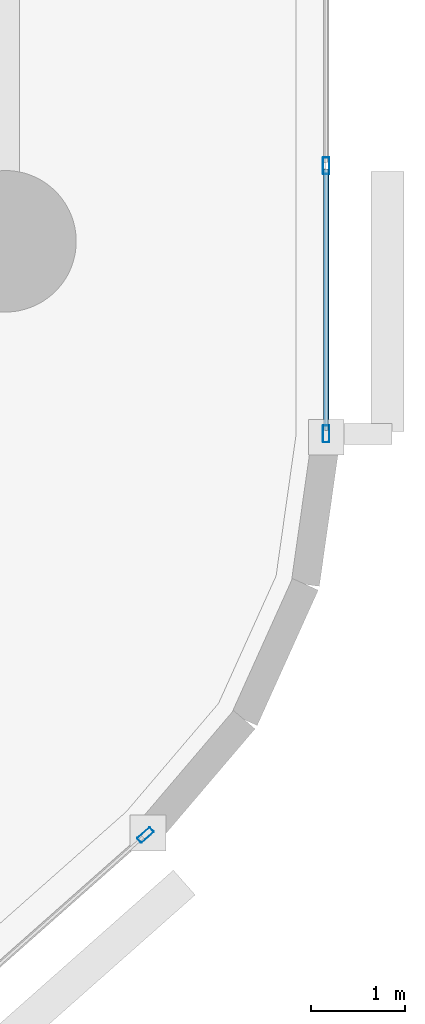
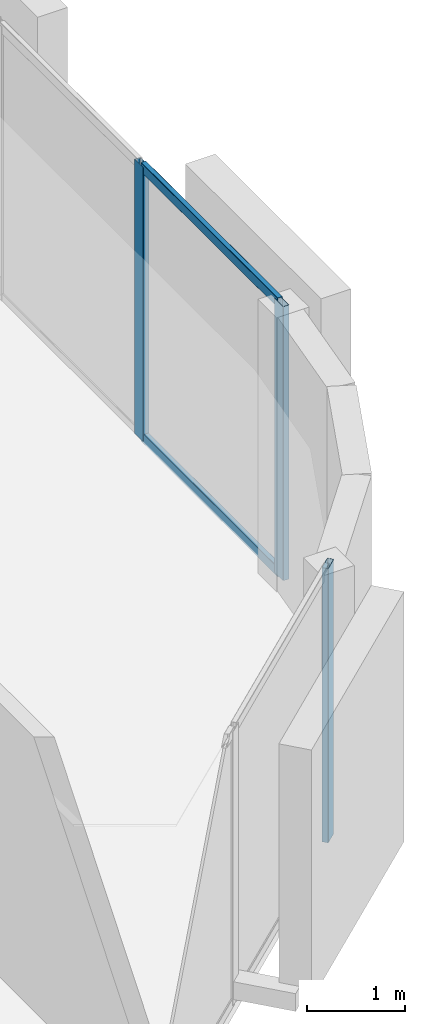
# One storey, part 4 of 15: 5 members, 2 elements without a shape of their own.
"""IFC4 building model written with IfcOpenShell, lengths in metres."""

from ifc_helpers import new_model, si_unit, direction, frame, origin, origin_2d, place, context, subcontext, project, spatial, hollow_rectangle, extrude, material, layer, layer_set, material_profile, profile_set, type_object, element, aggregate, save


model = new_model("IFC4")

# Units and contexts
model_context = context("Model", 3, precision=1e-05, world=origin(), true_north=direction((0.0, 1.0)))
body_context = subcontext(model_context, "Body", "Model", "MODEL_VIEW")
ifc_project = project(units=[si_unit("LENGTHUNIT", "METRE"), si_unit("AREAUNIT", "SQUARE_METRE"), si_unit("VOLUMEUNIT", "CUBIC_METRE"), si_unit("PLANEANGLEUNIT", "RADIAN"), si_unit("MASSUNIT", "GRAM", prefix="KILO")], contexts=[model_context])

# Site, building, storey
site_placement = place(None, origin())
site = spatial("IfcSite", under=ifc_project, at=site_placement, CompositionType="ELEMENT")
building_placement = place(site_placement, origin())
building = spatial("IfcBuilding", under=site, at=building_placement, Name="An Khanh Terracotta Commons", CompositionType="ELEMENT")
storey_placement = place(building_placement, frame((0.0, 0.0, 64.800048828125)))
storey = spatial("IfcBuildingStorey", under=building, at=storey_placement, Name="L17", CompositionType="ELEMENT", Elevation=64.800048828125)

# Curtain wall, member
ifc_material = material(Name="Anodised Aluminium 6063-T6", Category="aluminium")
ifc_layer = layer(ifc_material, 0.199951171875, Name="Anodised Aluminium 6063-T6")
ifc_layer_set = layer_set([ifc_layer], Name="Anodised Aluminium 6063-T6")
curtain_wall_type = type_object("IfcCurtainWallType", Name="CW-SYS-02", PredefinedType="USERDEFINED", material=ifc_layer_set)
curtain_wall_1_placement = place(storey_placement, origin())
curtain_wall_1 = element("IfcCurtainWall", 1, at=curtain_wall_1_placement, inside=storey, type_object=curtain_wall_type, Name="L17 CW-02 Unitised Curtain Wall CW-L17-08", ObjectType="UNITISED CURTAIN WALL", PredefinedType="USERDEFINED")
ifc_material_profile_1 = material_profile(ifc_material, hollow_rectangle(XDim=0.070068359375, YDim=0.179931640625, WallThickness=0.00390625, InnerFilletRadius=0.00390625, OuterFilletRadius=0.008056640625, at=origin_2d()), Name="RHS180x70x4")
ifc_profile_set_1 = profile_set([ifc_material_profile_1], Name="Anodised Aluminium 6063-T6")
member_type_1 = type_object("IfcMemberType", Name="CWM-RHS180x70x4", PredefinedType="MULLION", material=ifc_profile_set_1)
member_1_placement = place(storey_placement, frame((49.683837890625, 9.704833984375, 0.0), z_axis=(0.0, 0.0, 1.0), x_axis=(-0.662548195415, 0.749019284633, 0.0)))
member_1 = element("IfcMember", 2, at=member_1_placement, type_object=member_type_1, Name="CW-02 mullion 4", PredefinedType="MULLION", context=body_context, shape_type="SweptSolid", body=[
    extrude(hollow_rectangle(XDim=0.070068359375, YDim=0.179931640625, WallThickness=0.00390625, InnerFilletRadius=0.00390625, OuterFilletRadius=0.008056640625, at=origin_2d()), origin(), (0.0, 0.0, 1.0), 3.39990234375),
])
aggregate(curtain_wall_1, [member_1])

# Curtain wall, members
curtain_wall_2_placement = place(storey_placement, origin())
curtain_wall_2 = element("IfcCurtainWall", 3, at=curtain_wall_2_placement, inside=storey, type_object=curtain_wall_type, Name="L17 CW-02 Unitised Curtain Wall CW-L17-12", ObjectType="UNITISED CURTAIN WALL", PredefinedType="USERDEFINED")
member_2_placement = place(storey_placement, frame((51.60009765625, 13.9580078125, 0.0), z_axis=(0.0, 0.0, 1.0), x_axis=(-1.0, 0.0, 0.0)))
member_2 = element("IfcMember", 4, at=member_2_placement, type_object=member_type_1, Name="CW-02 mullion 1", PredefinedType="MULLION", context=body_context, shape_type="SweptSolid", body=[
    extrude(hollow_rectangle(XDim=0.070068359375, YDim=0.179931640625, WallThickness=0.00390625, InnerFilletRadius=0.00390625, OuterFilletRadius=0.008056640625, at=origin_2d()), origin(), (0.0, 0.0, 1.0), 3.39990234375),
])
member_3_placement = place(storey_placement, frame((51.60009765625, 16.80224609375, 0.0), z_axis=(0.0, 0.0, 1.0), x_axis=(-1.0, 0.0, 0.0)))
member_3 = element("IfcMember", 5, at=member_3_placement, type_object=member_type_1, Name="CW-02 mullion 2", PredefinedType="MULLION", context=body_context, shape_type="SweptSolid", body=[
    extrude(hollow_rectangle(XDim=0.070068359375, YDim=0.179931640625, WallThickness=0.00390625, InnerFilletRadius=0.00390625, OuterFilletRadius=0.008056640625, at=origin_2d()), origin(), (0.0, 0.0, 1.0), 3.39990234375),
])
ifc_material_profile_2 = material_profile(ifc_material, hollow_rectangle(XDim=0.06005859375, YDim=0.1201171875, WallThickness=0.003662109375, InnerFilletRadius=0.003662109375, OuterFilletRadius=0.007080078125, at=origin_2d()), Name="RHS120x60x3.6")
ifc_profile_set_2 = profile_set([ifc_material_profile_2], Name="Anodised Aluminium 6063-T6")
member_type_2 = type_object("IfcMemberType", Name="CWT-RHS120x60x3.6", PredefinedType="USERDEFINED", material=ifc_profile_set_2)
member_4_placement = place(storey_placement, frame((51.60009765625, 13.992919921875, 0.030029296875), z_axis=(0.0, 1.0, 0.0), x_axis=(-1.0, 0.0, 0.0)))
member_4 = element("IfcMember", 6, at=member_4_placement, type_object=member_type_2, Name="CW-02 transom 1.1", ObjectType="TRANSOM", PredefinedType="USERDEFINED", context=body_context, shape_type="SweptSolid", body=[
    extrude(hollow_rectangle(XDim=0.06005859375, YDim=0.1201171875, WallThickness=0.003662109375, InnerFilletRadius=0.003662109375, OuterFilletRadius=0.007080078125, at=origin_2d()), origin(), (0.0, 0.0, 1.0), 2.774169921875),
])
member_5_placement = place(storey_placement, frame((51.60009765625, 13.992919921875, 3.369873046875), z_axis=(0.0, 1.0, 0.0), x_axis=(-1.0, 0.0, 0.0)))
member_5 = element("IfcMember", 7, at=member_5_placement, type_object=member_type_2, Name="CW-02 transom 1.2", ObjectType="TRANSOM", PredefinedType="USERDEFINED", context=body_context, shape_type="SweptSolid", body=[
    extrude(hollow_rectangle(XDim=0.06005859375, YDim=0.1201171875, WallThickness=0.003662109375, InnerFilletRadius=0.003662109375, OuterFilletRadius=0.007080078125, at=origin_2d()), origin(), (0.0, 0.0, 1.0), 2.774169921875),
])
aggregate(curtain_wall_2, [member_2, member_3, member_4, member_5])

save(model, "model.ifc")
